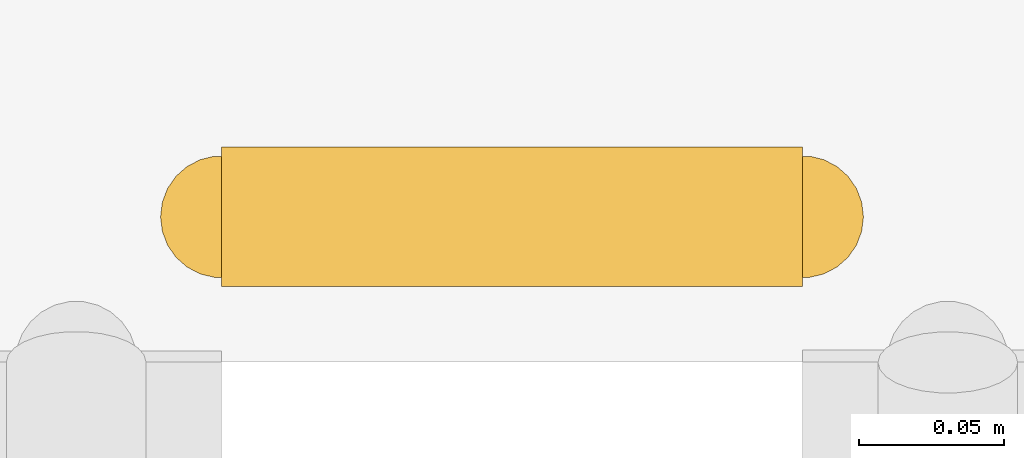
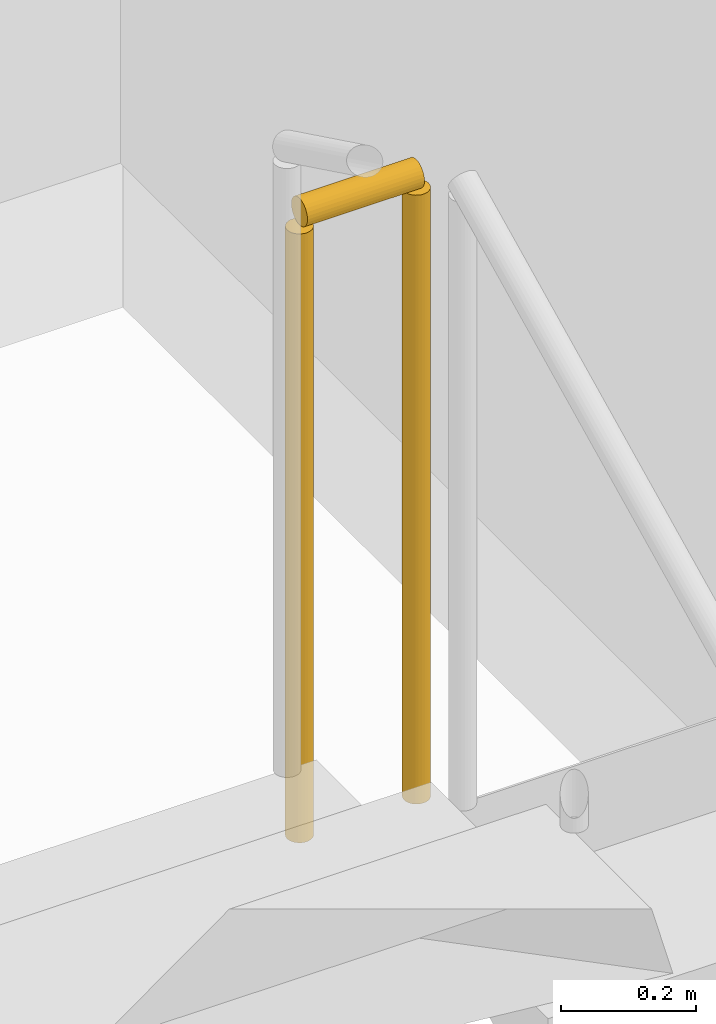
# One storey, part 38 of 39: 1 railing.
"""IFC4 building model written with IfcOpenShell, lengths in metres."""

from ifc_helpers import new_model, si_unit, direction, frame, origin, origin_2d, place, context, subcontext, project, spatial, circle, extrude, material, type_object, element, save


model = new_model("IFC4")

# Units and contexts
model_context = context("Model", 3, precision=1e-05, world=origin(), true_north=direction((0.0, 1.0)))
body_context = subcontext(model_context, "Body", "Model", "MODEL_VIEW")
ifc_project = project(units=[si_unit("LENGTHUNIT", "METRE"), si_unit("AREAUNIT", "SQUARE_METRE"), si_unit("VOLUMEUNIT", "CUBIC_METRE"), si_unit("PLANEANGLEUNIT", "RADIAN"), si_unit("MASSUNIT", "GRAM", prefix="KILO")], contexts=[model_context])

# Site, building, storey
site_placement = place(None, origin())
site = spatial("IfcSite", under=ifc_project, at=site_placement, CompositionType="ELEMENT")
building_placement = place(site_placement, origin())
building = spatial("IfcBuilding", under=site, at=building_placement, Name="Nahalor Promenade Grand Hotel", CompositionType="ELEMENT")
storey_placement = place(building_placement, frame((0.0, 0.0, 135.75)))
storey = spatial("IfcBuildingStorey", under=building, at=storey_placement, Name="L34", CompositionType="ELEMENT", Elevation=135.75)

# Railing
ifc_material = material(Name="Steel S355JR", Category="steel")
railing_type = type_object("IfcRailingType", Name="Steel Stair Guardrail 1150 mm", PredefinedType="GUARDRAIL", material=ifc_material)
railing_placement = place(storey_placement, frame((5.699951171875, 11.550048828125, 1.824951171875)))
element("IfcRailing", 1, at=railing_placement, inside=storey, type_object=railing_type, Name="L34 ST1 stair guard 2", PredefinedType="GUARDRAIL", context=body_context, shape_type="SweptSolid", body=[
    extrude(circle(Radius=0.024048, at=origin_2d()), frame((0.0, 0.0, 1.1259765625), z_axis=(-1.0, 0.0, 0.0), x_axis=(0.0, -1.0, 0.0)), (0.0, 0.0, 1.0), 0.199951171875),
    extrude(circle(Radius=0.020996, at=origin_2d()), origin(), (0.0, 0.0, 1.0), 1.099853515625),
    extrude(circle(Radius=0.020996, at=origin_2d()), frame((-0.199951171875, 0.0, 0.0)), (0.0, 0.0, 1.0), 1.099853515625),
])

save(model, "model.ifc")
